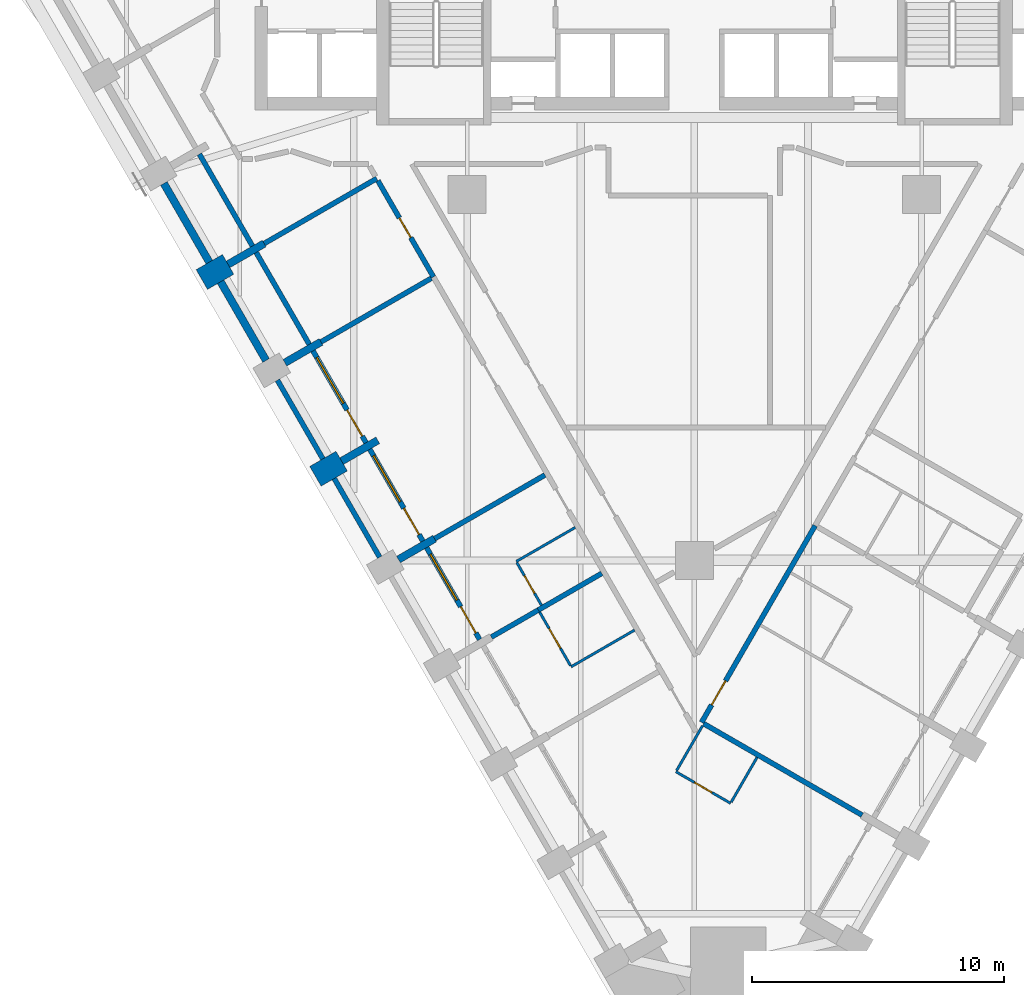
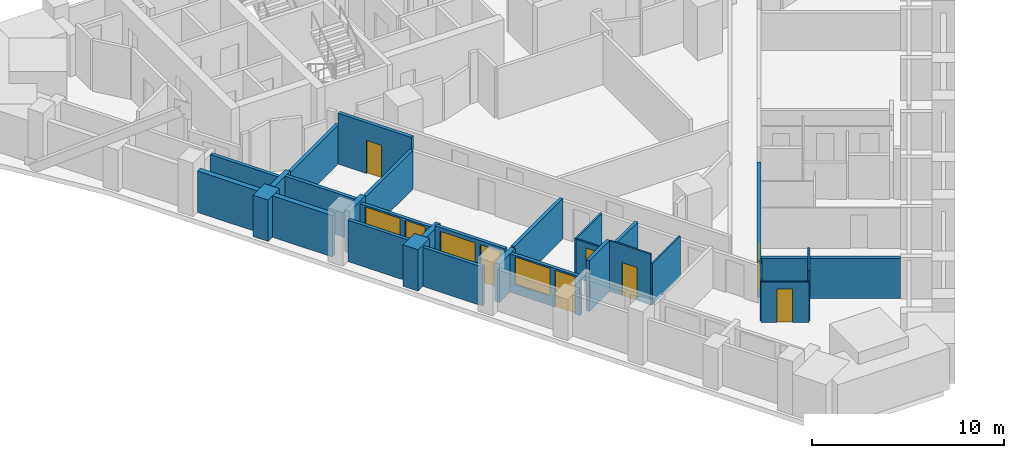
# One storey, part 3 of 10: 30 walls, 8 doors, 3 windows, 11 openings.
"""IFC4 building model written with IfcOpenShell, lengths in metres."""

from ifc_helpers import new_model, si_unit, direction, frame, frame_2d, origin, place, context, subcontext, project, spatial, rectangle, extrude, material, layer, layer_set, type_object, element, fill, save


model = new_model("IFC4")

# Units and contexts
model_context = context("Model", 3, precision=1e-05, world=origin(), true_north=direction((0.0, 1.0)))
body_context = subcontext(model_context, "Body", "Model", "MODEL_VIEW")
ifc_project = project(units=[si_unit("LENGTHUNIT", "METRE"), si_unit("AREAUNIT", "SQUARE_METRE"), si_unit("VOLUMEUNIT", "CUBIC_METRE"), si_unit("PLANEANGLEUNIT", "RADIAN"), si_unit("MASSUNIT", "GRAM", prefix="KILO")], contexts=[model_context])

# Site, building, storey
site_placement = place(None, origin())
site = spatial("IfcSite", under=ifc_project, at=site_placement, CompositionType="ELEMENT")
building_placement = place(site_placement, origin())
building = spatial("IfcBuilding", under=site, at=building_placement, Name="Calabash Gate Tower", CompositionType="ELEMENT")
storey_placement = place(building_placement, frame((0.0, 0.0, 91.800048828125)))
storey = spatial("IfcBuildingStorey", under=building, at=storey_placement, Name="L19", CompositionType="ELEMENT", Elevation=91.800048828125)

# Walls
ifc_material_1 = material(Name="Terracotta brick masonry, exposed face", Category="masonry")
ifc_layer_1 = layer(ifc_material_1, 1.199951171875)
ifc_layer_set_1 = layer_set([ifc_layer_1], Name="Brick end wall 1200")
wall_type_1 = type_object("IfcWallType", Name="Brick end wall 1200", PredefinedType="SOLIDWALL", material=ifc_layer_set_1)
for number, where, z_axis, x_axis, name in (
    (1, (-19.51025390625, -0.8720703125, 0.0), (0.0, 0.0, 1.0), (0.865955154139, 0.50012165622, 0.0), "Brick pier S05 SW0.3"),
    (2, (-13.97119140625, -8.066162109375, 0.0), (0.0, 0.0, 1.0), (-0.865955154139, -0.50012165622, 0.0), "Brick pier S05 SW0.5"),
):
    element("IfcWall", number, at=place(storey_placement, frame(where, z_axis=z_axis, x_axis=x_axis)), inside=storey, type_object=wall_type_1, Name=name, PredefinedType="SOLIDWALL", context=body_context, shape_type="SweptSolid", body=[
        extrude(rectangle(XDim=1.199951171875, YDim=0.89990234375, at=frame_2d((0.60009765625, 0.0))), origin(), (0.0, 0.0, 1.0), 2.6298828125),
    ])
ifc_material_2 = material(Name="Terracotta brick masonry, exposed face", Category="masonry")
ifc_layer_2 = layer(ifc_material_2, 0.300048828125)
ifc_layer_set_2 = layer_set([ifc_layer_2], Name="Brick infill panel wall 300")
wall_type_2 = type_object("IfcWallType", Name="Brick infill panel wall 300", PredefinedType="SOLIDWALL", material=ifc_layer_set_2)
for number, where, z_axis, x_axis, name in (
    (3, (-21.015625, 2.935302734375, 0.0), (0.0, 0.0, 1.0), (0.499961193289, -0.866047807691, 0.0), "Brick panel S05 SW0.3"),
    (4, (-18.765625, -0.961669921875, 0.0), (0.0, 0.0, 1.0), (0.499961193289, -0.866047807691, 0.0), "Brick panel S05 SW0.4"),
):
    element("IfcWall", number, at=place(storey_placement, frame(where, z_axis=z_axis, x_axis=x_axis)), inside=storey, type_object=wall_type_2, Name=name, PredefinedType="SOLIDWALL", context=body_context, shape_type="SweptSolid", body=[
        extrude(rectangle(XDim=3.599853515625, YDim=0.300048828125, at=frame_2d((1.7998046875, 0.0))), origin(), (0.0, 0.0, 1.0), 2.6298828125),
    ])
ifc_material_3 = material(Name="Terracotta brick masonry, exposed face", Category="masonry")
ifc_layer_3 = layer(ifc_material_3, 0.300048828125)
ifc_layer_set_3 = layer_set([ifc_layer_3], Name="Brick loggia cheek wall 300")
wall_type_3 = type_object("IfcWallType", Name="Brick loggia cheek wall 300", PredefinedType="SOLIDWALL", material=ifc_layer_set_3)
wall_1_placement = place(storey_placement, frame((-17.042236328125, 0.552978515625, 0.0), z_axis=(0.0, 0.0, 1.0), x_axis=(-0.866040211805, -0.499974350878, 0.0)))
element("IfcWall", 5, at=wall_1_placement, inside=storey, type_object=wall_type_3, Name="Loggia cheek S05 SW0.3", PredefinedType="SOLIDWALL", context=body_context, shape_type="SweptSolid", body=[
    extrude(rectangle(XDim=1.64990234375, YDim=0.300048828125, at=frame_2d((0.824951171875, 0.0))), origin(), (0.0, 0.0, 1.0), 2.64990234375),
])
wall_2_placement = place(storey_placement, frame((-16.22119140625, -4.169189453125, 0.0), z_axis=(0.0, 0.0, 1.0), x_axis=(0.865976140824, 0.500085316245, 0.0)))
element("IfcWall", 6, at=wall_2_placement, inside=storey, type_object=wall_type_3, Name="Loggia cheek S05 SW0.4", PredefinedType="SOLIDWALL", context=body_context, shape_type="SweptSolid", body=[
    extrude(rectangle(XDim=1.650146484375, YDim=0.300048828125, at=frame_2d((0.8251953125, 0.0))), origin(), (0.0, 0.0, 1.0), 2.64990234375),
])
wall_3_placement = place(storey_placement, frame((-13.97119140625, -8.066162109375, 0.0), z_axis=(0.0, 0.0, 1.0), x_axis=(0.866040211805, 0.499974350878, 0.0)))
element("IfcWall", 7, at=wall_3_placement, inside=storey, type_object=wall_type_3, Name="Loggia cheek S05 SW0.5", PredefinedType="SOLIDWALL", context=body_context, shape_type="SweptSolid", body=[
    extrude(rectangle(XDim=1.64990234375, YDim=0.300048828125, at=frame_2d((0.824951171875, 0.0))), origin(), (0.0, 0.0, 1.0), 2.473388671875),
])
wall_4_placement = place(storey_placement, frame((-11.72119140625, -11.96337890625, 0.0), z_axis=(0.0, 0.0, 1.0), x_axis=(0.866040211805, 0.499974350878, 0.0)))
element("IfcWall", 8, at=wall_4_placement, inside=storey, type_object=wall_type_3, Name="Loggia cheek S05 SW0.6", PredefinedType="SOLIDWALL", context=body_context, shape_type="SweptSolid", body=[
    extrude(rectangle(XDim=1.64990234375, YDim=0.300048828125, at=frame_2d((0.824951171875, 0.0))), origin(), (0.0, 0.0, 1.0), 2.449951171875),
])
ifc_material_4 = material(Name="Gypsum board on steel studs, mineral wool", Category="steel")
ifc_layer_4 = layer(ifc_material_4, 0.10009765625)
ifc_layer_set_4 = layer_set([ifc_layer_4], Name="Partition 100 gypsum board")
wall_type_4 = type_object("IfcWallType", Name="Partition 100 gypsum board", PredefinedType="PARTITIONING", material=ifc_layer_set_4)
wall_5_placement = place(storey_placement, frame((1.46044921875, -21.576416015625, 0.0), z_axis=(0.0, 0.0, 1.0), x_axis=(0.499354689006, 0.866397653833, 0.0)))
element("IfcWall", 9, at=wall_5_placement, inside=storey, type_object=wall_type_4, Name="Partition", PredefinedType="PARTITIONING", context=body_context, shape_type="SweptSolid", body=[
    extrude(rectangle(XDim=2.050048828125, YDim=0.10009765625, at=frame_2d((1.02490234375, 0.0))), origin(), (0.0, 0.0, 1.0), 3.22998046875),
])

# Wall, opening, door
wall_6_placement = place(storey_placement, frame((-0.7294921875, -20.369873046875, 0.0), z_axis=(0.0, 0.0, 1.0), x_axis=(0.866022959057, -0.500004234368, 0.0)))
wall_6 = element("IfcWall", 10, at=wall_6_placement, inside=storey, type_object=wall_type_4, Name="Partition", PredefinedType="PARTITIONING", context=body_context, shape_type="SweptSolid", body=[
    extrude(rectangle(XDim=2.5, YDim=0.10009765625, at=frame_2d((1.25, 0.0))), origin(), (0.0, 0.0, 1.0), 2.5517578125),
])
opening_1_placement = place(wall_6_placement, frame((0.85009765625, 0.0, 0.0)))
opening_1 = element("IfcOpeningElement", 11, at=opening_1_placement, cuts=wall_6, Name="Opening 19-21-015", PredefinedType="OPENING", context=body_context, shape_type="SweptSolid", body=[
    extrude(rectangle(XDim=0.800048828125, YDim=2.10009765625, at=frame_2d((0.39990234375, 1.050048828125))), frame((0.0, 0.06005859375, 0.0), z_axis=(0.0, -1.0, 0.0), x_axis=(1.0, 0.0, 0.0)), (0.0, 0.0, 1.0), 0.1201171875),
])
ifc_material_5 = material(Name="Painted timber door", Category="wood")
door_type_1 = type_object("IfcDoorType", Name="GD5 En-suite door 800x2100", OperationType="NOTDEFINED", PredefinedType="DOOR", material=ifc_material_5)
door_1_placement = place(opening_1_placement, origin())
door_1 = element("IfcDoor", 12, at=door_1_placement, inside=storey, type_object=door_type_1, Name="En-suite door", OperationType="SINGLE_SWING_LEFT", OverallHeight=2.10009765625, OverallWidth=0.800048828125, PredefinedType="DOOR", context=body_context, shape_type="SweptSolid", body=[
    extrude(rectangle(XDim=0.800048828125, YDim=2.10009765625, at=frame_2d((0.39990234375, 1.050048828125))), frame((0.0, 0.02490234375, 0.0), z_axis=(0.0, -1.0, 0.0), x_axis=(1.0, 0.0, 0.0)), (0.0, 0.0, 1.0), 0.050048828125),
])
fill(opening_1, door_1)

# Walls
wall_7_placement = place(storey_placement, frame((-0.70458984375, -20.326416015625, 0.0), z_axis=(0.0, 0.0, 1.0), x_axis=(0.500698204548, 0.865621919756, 0.0)))
element("IfcWall", 13, at=wall_7_placement, inside=storey, type_object=wall_type_4, Name="Partition", PredefinedType="PARTITIONING", context=body_context, shape_type="SweptSolid", body=[
    extrude(rectangle(XDim=2.0498046875, YDim=0.10009765625, at=frame_2d((1.02490234375, 0.0))), origin(), (0.0, 0.0, 1.0), 2.5517578125),
])
wall_8_placement = place(storey_placement, frame((-4.880126953125, -16.212158203125, 0.0), z_axis=(0.0, 0.0, 1.0), x_axis=(0.865729701078, 0.500511822708, 0.0)))
element("IfcWall", 14, at=wall_8_placement, inside=storey, type_object=wall_type_4, Name="Partition", PredefinedType="PARTITIONING", context=body_context, shape_type="SweptSolid", body=[
    extrude(rectangle(XDim=2.89990234375, YDim=0.10009765625, at=frame_2d((1.449951171875, 0.0))), origin(), (0.0, 0.0, 1.0), 2.6279296875),
])

# Wall, opening, door
wall_9_placement = place(storey_placement, frame((-6.128662109375, -14.04638671875, 0.0), z_axis=(0.0, 0.0, 1.0), x_axis=(0.499408942836, -0.866366381974, 0.0)))
wall_9 = element("IfcWall", 15, at=wall_9_placement, inside=storey, type_object=wall_type_4, Name="Partition", PredefinedType="PARTITIONING", context=body_context, shape_type="SweptSolid", body=[
    extrude(rectangle(XDim=2.44970703125, YDim=0.10009765625, at=frame_2d((1.224853515625, 0.0))), origin(), (0.0, 0.0, 1.0), 3.22998046875),
])
opening_2_placement = place(wall_9_placement, frame((0.749755859375, 0.0, 0.0)))
opening_2 = element("IfcOpeningElement", 16, at=opening_2_placement, cuts=wall_9, Name="Opening 19-21-006", PredefinedType="OPENING", context=body_context, shape_type="SweptSolid", body=[
    extrude(rectangle(XDim=0.89990234375, YDim=2.10009765625, at=frame_2d((0.449951171875, 1.050048828125))), frame((0.0, 0.06005859375, 0.0), z_axis=(0.0, -1.0, 0.0), x_axis=(1.0, 0.0, 0.0)), (0.0, 0.0, 1.0), 0.1201171875),
])
ifc_material_6 = material(Name="Painted timber door", Category="wood")
door_type_2 = type_object("IfcDoorType", Name="GD6 Accessible en-suite door 900x2100", OperationType="NOTDEFINED", PredefinedType="DOOR", material=ifc_material_6)
door_2_placement = place(opening_2_placement, origin())
door_2 = element("IfcDoor", 17, at=door_2_placement, inside=storey, type_object=door_type_2, Name="Accessible en-suite door", OperationType="SINGLE_SWING_RIGHT", OverallHeight=2.10009765625, OverallWidth=0.89990234375, PredefinedType="DOOR", context=body_context, shape_type="SweptSolid", body=[
    extrude(rectangle(XDim=0.89990234375, YDim=2.10009765625, at=frame_2d((0.449951171875, 1.050048828125))), frame((0.0, 0.02490234375, 0.0), z_axis=(0.0, -1.0, 0.0), x_axis=(1.0, 0.0, 0.0)), (0.0, 0.0, 1.0), 0.050048828125),
])
fill(opening_2, door_2)

wall_10_placement = place(storey_placement, frame((-7.031982421875, -12.085205078125, 0.0), z_axis=(0.0, 0.0, 1.0), x_axis=(0.500098182527, -0.865968710655, 0.0)))
wall_10 = element("IfcWall", 18, at=wall_10_placement, inside=storey, type_object=wall_type_4, Name="Partition", PredefinedType="PARTITIONING", context=body_context, shape_type="SweptSolid", body=[
    extrude(rectangle(XDim=1.94970703125, YDim=0.10009765625, at=frame_2d((0.974853515625, 0.0))), origin(), (0.0, 0.0, 1.0), 2.449951171875),
])
opening_3_placement = place(wall_10_placement, frame((0.60009765625, 0.0, 0.0)))
opening_3 = element("IfcOpeningElement", 19, at=opening_3_placement, cuts=wall_10, Name="Opening 19-21-004", PredefinedType="OPENING", context=body_context, shape_type="SweptSolid", body=[
    extrude(rectangle(XDim=0.800048828125, YDim=2.10009765625, at=frame_2d((0.39990234375, 1.050048828125))), frame((0.0, 0.06005859375, 0.0), z_axis=(0.0, -1.0, 0.0), x_axis=(1.0, 0.0, 0.0)), (0.0, 0.0, 1.0), 0.1201171875),
])
door_3_placement = place(opening_3_placement, origin())
door_3 = element("IfcDoor", 20, at=door_3_placement, inside=storey, type_object=door_type_1, Name="En-suite door", OperationType="SINGLE_SWING_RIGHT", OverallHeight=2.10009765625, OverallWidth=0.800048828125, PredefinedType="DOOR", context=body_context, shape_type="SweptSolid", body=[
    extrude(rectangle(XDim=0.800048828125, YDim=2.10009765625, at=frame_2d((0.39990234375, 1.050048828125))), frame((0.0, 0.02490234375, 0.0), z_axis=(0.0, -1.0, 0.0), x_axis=(1.0, 0.0, 0.0)), (0.0, 0.0, 1.0), 0.050048828125),
])
fill(opening_3, door_3)

# Walls
wall_11_placement = place(storey_placement, frame((-7.056884765625, -12.041748046875, 0.0), z_axis=(0.0, 0.0, 1.0), x_axis=(0.866339109022, 0.499456252518, 0.0)))
element("IfcWall", 21, at=wall_11_placement, inside=storey, type_object=wall_type_4, Name="Partition", PredefinedType="PARTITIONING", context=body_context, shape_type="SweptSolid", body=[
    extrude(rectangle(XDim=2.69970703125, YDim=0.10009765625, at=frame_2d((1.349853515625, 0.0))), origin(), (0.0, 0.0, 1.0), 2.449951171875),
])
ifc_material_7 = material(Name="Gypsum board on steel studs, mineral wool", Category="steel")
ifc_layer_5 = layer(ifc_material_7, 0.199951171875)
ifc_layer_set_5 = layer_set([ifc_layer_5], Name="Partition 200 gypsum board EI 60")
wall_type_5 = type_object("IfcWallType", Name="Partition 200 gypsum board EI 60", PredefinedType="PARTITIONING", material=ifc_layer_set_5)
wall_12_placement = place(storey_placement, frame((0.36962890625, -18.4658203125, 0.0), z_axis=(0.0, 0.0, 1.0), x_axis=(0.866027438349, -0.499996476014, 0.0)))
element("IfcWall", 22, at=wall_12_placement, inside=storey, type_object=wall_type_5, Name="Partition", PredefinedType="PARTITIONING", context=body_context, shape_type="SweptSolid", body=[
    extrude(rectangle(XDim=7.24951171875, YDim=0.199951171875, at=frame_2d((3.624755859375, 0.0))), origin(), (0.0, 0.0, 1.0), 2.5517578125),
])
wall_13_placement = place(storey_placement, frame((-8.0419921875, -15.03564453125, 0.0), z_axis=(0.0, 0.0, 1.0), x_axis=(0.866448284977, 0.499266831925, 0.0)))
element("IfcWall", 23, at=wall_13_placement, inside=storey, type_object=wall_type_5, Name="Partition", PredefinedType="PARTITIONING", context=body_context, shape_type="SweptSolid", body=[
    extrude(rectangle(XDim=2.149658203125, YDim=0.199951171875, at=frame_2d((1.07470703125, 0.0))), origin(), (0.0, 0.0, 1.0), 3.22998046875),
])
wall_14_placement = place(storey_placement, frame((-6.17919921875, -13.962158203125, 0.0), z_axis=(0.0, 0.0, 1.0), x_axis=(0.866011727401, 0.500023687443, 0.0)))
element("IfcWall", 24, at=wall_14_placement, inside=storey, type_object=wall_type_5, Name="Partition", PredefinedType="PARTITIONING", context=body_context, shape_type="SweptSolid", body=[
    extrude(rectangle(XDim=2.899658203125, YDim=0.199951171875, at=frame_2d((1.44970703125, 0.0))), origin(), (0.0, 0.0, 1.0), 2.6279296875),
])

# Wall, opening, door
wall_15_placement = place(storey_placement, frame((0.285400390625, -18.414794921875, 0.0), z_axis=(0.0, 0.0, 1.0), x_axis=(0.5000018851, 0.866024315419, 0.0)))
wall_15 = element("IfcWall", 25, at=wall_15_placement, inside=storey, type_object=wall_type_5, Name="Partition", PredefinedType="PARTITIONING", context=body_context, shape_type="SweptSolid", body=[
    extrude(rectangle(XDim=9.0, YDim=0.199951171875, at=frame_2d((4.5, 0.0))), origin(), (0.0, 0.0, 1.0), 2.302490234375),
])
opening_4_placement = place(wall_15_placement, frame((0.800048828125, 0.0, 0.0)))
opening_4 = element("IfcOpeningElement", 26, at=opening_4_placement, cuts=wall_15, Name="Opening 19-21-007", PredefinedType="OPENING", context=body_context, shape_type="SweptSolid", body=[
    extrude(rectangle(XDim=1.10009765625, YDim=2.10009765625, at=frame_2d((0.550048828125, 1.050048828125))), frame((0.0, 0.10986328125, 0.0), z_axis=(0.0, -1.0, 0.0), x_axis=(1.0, 0.0, 0.0)), (0.0, 0.0, 1.0), 0.219970703125),
])
ifc_material_8 = material(Name="Steel fire door set with fire-resisting glazing", Category="steel")
door_type_3 = type_object("IfcDoorType", Name="GD3 Suite entrance door 1100x2100", OperationType="NOTDEFINED", PredefinedType="DOOR", material=ifc_material_8)
door_4_placement = place(opening_4_placement, origin())
door_4 = element("IfcDoor", 27, at=door_4_placement, inside=storey, type_object=door_type_3, Name="Suite entrance door", OperationType="SINGLE_SWING_RIGHT", OverallHeight=2.10009765625, OverallWidth=1.10009765625, PredefinedType="DOOR", context=body_context, shape_type="SweptSolid", body=[
    extrude(rectangle(XDim=1.10009765625, YDim=2.10009765625, at=frame_2d((0.550048828125, 1.050048828125))), frame((0.0, 0.02490234375, 0.0), z_axis=(0.0, -1.0, 0.0), x_axis=(1.0, 0.0, 0.0)), (0.0, 0.0, 1.0), 0.050048828125),
])
fill(opening_4, door_4)

# Walls
wall_16_placement = place(storey_placement, frame((-10.2919921875, -11.138427734375, 0.0), z_axis=(0.0, 0.0, 1.0), x_axis=(0.866188805601, 0.49971687289, 0.0)))
element("IfcWall", 28, at=wall_16_placement, inside=storey, type_object=wall_type_5, Name="Partition", PredefinedType="PARTITIONING", context=body_context, shape_type="SweptSolid", body=[
    extrude(rectangle(XDim=5.0498046875, YDim=0.199951171875, at=frame_2d((2.52490234375, 0.0))), origin(), (0.0, 0.0, 1.0), 2.5517578125),
])
wall_17_placement = place(storey_placement, frame((-14.7919921875, -3.34423828125, 0.0), z_axis=(0.0, 0.0, 1.0), x_axis=(0.866188805601, 0.49971687289, 0.0)))
element("IfcWall", 29, at=wall_17_placement, inside=storey, type_object=wall_type_5, Name="Partition", PredefinedType="PARTITIONING", context=body_context, shape_type="SweptSolid", body=[
    extrude(rectangle(XDim=5.0498046875, YDim=0.199951171875, at=frame_2d((2.52490234375, 0.0))), origin(), (0.0, 0.0, 1.0), 2.473388671875),
])

# Wall, opening, door
wall_18_placement = place(storey_placement, frame((-12.533935546875, 3.040283203125, 0.0), z_axis=(0.0, 0.0, 1.0), x_axis=(0.50001224981, -0.866018331238, 0.0)))
wall_18 = element("IfcWall", 30, at=wall_18_placement, inside=storey, type_object=wall_type_5, Name="Partition", PredefinedType="PARTITIONING", context=body_context, shape_type="SweptSolid", body=[
    extrude(rectangle(XDim=4.39990234375, YDim=0.199951171875, at=frame_2d((2.199951171875, 0.0))), origin(), (0.0, 0.0, 1.0), 3.22998046875),
])
opening_5_placement = place(wall_18_placement, frame((1.699951171875, 0.0, 0.0)))
opening_5 = element("IfcOpeningElement", 31, at=opening_5_placement, cuts=wall_18, Name="Opening 19-21-001", PredefinedType="OPENING", context=body_context, shape_type="SweptSolid", body=[
    extrude(rectangle(XDim=0.89990234375, YDim=2.10009765625, at=frame_2d((0.449951171875, 1.050048828125))), frame((0.0, 0.10986328125, 0.0), z_axis=(0.0, -1.0, 0.0), x_axis=(1.0, 0.0, 0.0)), (0.0, 0.0, 1.0), 0.219970703125),
])
ifc_material_9 = material(Name="Steel fire door set with fire-resisting glazing", Category="steel")
door_type_4 = type_object("IfcDoorType", Name="SD1 Service room door 900x2100", OperationType="NOTDEFINED", PredefinedType="DOOR", material=ifc_material_9)
door_5_placement = place(opening_5_placement, origin())
door_5 = element("IfcDoor", 32, at=door_5_placement, inside=storey, type_object=door_type_4, Name="Service room door", OperationType="SINGLE_SWING_RIGHT", OverallHeight=2.10009765625, OverallWidth=0.89990234375, PredefinedType="DOOR", context=body_context, shape_type="SweptSolid", body=[
    extrude(rectangle(XDim=0.89990234375, YDim=2.10009765625, at=frame_2d((0.449951171875, 1.050048828125))), frame((0.0, 0.02490234375, 0.0), z_axis=(0.0, -1.0, 0.0), x_axis=(1.0, 0.0, 0.0)), (0.0, 0.0, 1.0), 0.050048828125),
])
fill(opening_5, door_5)

# Walls
wall_19_placement = place(storey_placement, frame((-17.04248046875, 0.553466796875, 0.0), z_axis=(0.0, 0.0, 1.0), x_axis=(0.865896561189, 0.500223095549, 0.0)))
element("IfcWall", 33, at=wall_19_placement, inside=storey, type_object=wall_type_5, Name="Partition", PredefinedType="PARTITIONING", context=body_context, shape_type="SweptSolid", body=[
    extrude(rectangle(XDim=5.149658203125, YDim=0.199951171875, at=frame_2d((2.57470703125, 0.0))), origin(), (0.0, 0.0, 1.0), 2.473388671875),
])
ifc_material_10 = material(Name="Terracotta brick masonry, perforated", Category="masonry")
ifc_layer_6 = layer(ifc_material_10, 0.199951171875)
ifc_layer_set_6 = layer_set([ifc_layer_6], Name="Terracotta jaali screen A")
wall_type_6 = type_object("IfcWallType", Name="Terracotta jaali screen A", PredefinedType="SOLIDWALL", material=ifc_layer_set_6)
wall_20_placement = place(storey_placement, frame((-16.515625, -4.85888671875, 0.0), z_axis=(0.0, 0.0, 1.0), x_axis=(0.499961193289, -0.866047807691, 0.0)))
element("IfcWall", 34, at=wall_20_placement, inside=storey, type_object=wall_type_6, Name="SCREEN A S05 SW0.5", PredefinedType="SOLIDWALL", context=body_context, shape_type="SweptSolid", body=[
    extrude(rectangle(XDim=3.599853515625, YDim=0.199951171875, at=frame_2d((1.7998046875, 0.0))), origin(), (0.0, 0.0, 1.0), 2.6298828125),
])
wall_21_placement = place(storey_placement, frame((-14.265625, -8.755859375, 0.0), z_axis=(0.0, 0.0, 1.0), x_axis=(0.499961193289, -0.866047807691, 0.0)))
element("IfcWall", 35, at=wall_21_placement, inside=storey, type_object=wall_type_6, Name="SCREEN A S05 SW0.6", PredefinedType="SOLIDWALL", context=body_context, shape_type="SweptSolid", body=[
    extrude(rectangle(XDim=3.599853515625, YDim=0.199951171875, at=frame_2d((1.7998046875, 0.0))), origin(), (0.0, 0.0, 1.0), 2.473388671875),
])
ifc_material_11 = material(Name="Aluminium framed window wall with insulated spandrel", Category="aluminium")
ifc_layer_7 = layer(ifc_material_11, 0.199951171875)
ifc_layer_set_7 = layer_set([ifc_layer_7], Name="Window wall 200")
wall_type_7 = type_object("IfcWallType", Name="Window wall 200", PredefinedType="ELEMENTEDWALL", material=ifc_layer_set_7)
wall_22_placement = place(storey_placement, frame((-19.60693359375, 4.09521484375, 0.0), z_axis=(0.0, 0.0, 1.0), x_axis=(0.500027713859, -0.866009402589, 0.0)))
element("IfcWall", 36, at=wall_22_placement, inside=storey, type_object=wall_type_7, Name="Window wall S05 SW0.3", PredefinedType="ELEMENTEDWALL", context=body_context, shape_type="SweptSolid", body=[
    extrude(rectangle(XDim=4.199951171875, YDim=0.199951171875, at=frame_2d((2.10009765625, 0.0))), origin(), (0.0, 0.0, 1.0), 2.449951171875),
])
wall_23_placement = place(storey_placement, frame((-17.35693359375, 0.197998046875, 0.0), z_axis=(0.0, 0.0, 1.0), x_axis=(0.500027713859, -0.866009402589, 0.0)))
element("IfcWall", 37, at=wall_23_placement, inside=storey, type_object=wall_type_7, Name="Window wall S05 SW0.4", PredefinedType="ELEMENTEDWALL", context=body_context, shape_type="SweptSolid", body=[
    extrude(rectangle(XDim=4.199951171875, YDim=0.199951171875, at=frame_2d((2.10009765625, 0.0))), origin(), (0.0, 0.0, 1.0), 2.64990234375),
])

# Wall, openings, door, window
wall_24_placement = place(storey_placement, frame((-15.10693359375, -3.698974609375, 0.0), z_axis=(0.0, 0.0, 1.0), x_axis=(0.500002543286, -0.866023935413, 0.0)))
wall_24 = element("IfcWall", 38, at=wall_24_placement, inside=storey, type_object=wall_type_7, Name="Window wall S05 SW0.5", PredefinedType="ELEMENTEDWALL", context=body_context, shape_type="SweptSolid", body=[
    extrude(rectangle(XDim=4.2001953125, YDim=0.199951171875, at=frame_2d((2.10009765625, 0.0))), origin(), (0.0, 0.0, 1.0), 2.473388671875),
])
opening_6_placement = place(wall_24_placement, frame((0.300048828125, 0.0, 0.60009765625)))
opening_6 = element("IfcOpeningElement", 39, at=opening_6_placement, cuts=wall_24, Name="Opening HW1L-1770", PredefinedType="OPENING", context=body_context, shape_type="SweptSolid", body=[
    extrude(rectangle(XDim=2.10009765625, YDim=1.77001953125, at=frame_2d((1.050048828125, 0.885009765625))), frame((0.0, 0.10986328125, 0.0), z_axis=(0.0, -1.0, 0.0), x_axis=(1.0, 0.0, 0.0)), (0.0, 0.0, 1.0), 0.219970703125),
])
opening_7_placement = place(wall_24_placement, frame((2.699951171875, 0.0, 0.0)))
opening_7 = element("IfcOpeningElement", 40, at=opening_7_placement, cuts=wall_24, Name="Opening H5-023", PredefinedType="OPENING", context=body_context, shape_type="SweptSolid", body=[
    extrude(rectangle(XDim=1.199951171875, YDim=2.3701171875, at=frame_2d((0.60009765625, 1.18505859375))), frame((0.0, 0.10986328125, 0.0), z_axis=(0.0, -1.0, 0.0), x_axis=(1.0, 0.0, 0.0)), (0.0, 0.0, 1.0), 0.219970703125),
])
ifc_material_12 = material(Name="Anodised aluminium frame, bronze finish, impact-rated laminated clear glazing", Category="aluminium")
door_type_5 = type_object("IfcDoorType", Name="Loggia door DH1L-2370 1200x2370", OperationType="SLIDING_TO_LEFT", PredefinedType="DOOR", material=ifc_material_12)
door_6_placement = place(opening_7_placement, origin())
door_6 = element("IfcDoor", 41, at=door_6_placement, inside=storey, type_object=door_type_5, Name="Loggia door S05 SW0.5", OperationType="SINGLE_SWING_LEFT", OverallHeight=2.3701171875, OverallWidth=1.199951171875, PredefinedType="DOOR", context=body_context, shape_type="SweptSolid", body=[
    extrude(rectangle(XDim=1.199951171875, YDim=2.3701171875, at=frame_2d((0.60009765625, 1.18505859375))), frame((0.0, 0.02490234375, 0.0), z_axis=(0.0, -1.0, 0.0), x_axis=(1.0, 0.0, 0.0)), (0.0, 0.0, 1.0), 0.050048828125),
])
fill(opening_7, door_6)
ifc_material_13 = material(Name="Anodised aluminium frame, bronze finish, impact-rated laminated clear glazing", Category="aluminium")
window_type_1 = type_object("IfcWindowType", Name="Window HW1L 2100x1770", PartitioningType="DOUBLE_PANEL_VERTICAL", PredefinedType="WINDOW", material=ifc_material_13)
window_1_placement = place(opening_6_placement, origin())
window_1 = element("IfcWindow", 42, at=window_1_placement, inside=storey, type_object=window_type_1, Name="Window HW1 S05 SW0.5", OverallHeight=1.77001953125, OverallWidth=2.10009765625, PartitioningType="SINGLE_PANEL", PredefinedType="WINDOW", context=body_context, shape_type="SweptSolid", body=[
    extrude(rectangle(XDim=2.10009765625, YDim=1.77001953125, at=frame_2d((1.050048828125, 0.885009765625))), frame((0.0, 0.030029296875, 0.0), z_axis=(0.0, -1.0, 0.0), x_axis=(1.0, 0.0, 0.0)), (0.0, 0.0, 1.0), 0.06005859375),
])
fill(opening_6, window_1)

wall_25_placement = place(storey_placement, frame((-12.85693359375, -7.59619140625, 0.0), z_axis=(0.0, 0.0, 1.0), x_axis=(0.500027713859, -0.866009402589, 0.0)))
wall_25 = element("IfcWall", 43, at=wall_25_placement, inside=storey, type_object=wall_type_7, Name="Window wall S05 SW0.6", PredefinedType="ELEMENTEDWALL", context=body_context, shape_type="SweptSolid", body=[
    extrude(rectangle(XDim=4.199951171875, YDim=0.199951171875, at=frame_2d((2.10009765625, 0.0))), origin(), (0.0, 0.0, 1.0), 2.64990234375),
])
opening_8_placement = place(wall_25_placement, frame((0.300048828125, 0.0, 0.60009765625)))
opening_8 = element("IfcOpeningElement", 44, at=opening_8_placement, cuts=wall_25, Name="Opening HW1", PredefinedType="OPENING", context=body_context, shape_type="SweptSolid", body=[
    extrude(rectangle(XDim=2.10009765625, YDim=1.800048828125, at=frame_2d((1.050048828125, 0.89990234375))), frame((0.0, 0.10986328125, 0.0), z_axis=(0.0, -1.0, 0.0), x_axis=(1.0, 0.0, 0.0)), (0.0, 0.0, 1.0), 0.219970703125),
])
opening_9_placement = place(wall_25_placement, frame((2.699951171875, 0.0, 0.0)))
opening_9 = element("IfcOpeningElement", 45, at=opening_9_placement, cuts=wall_25, Name="Opening H5-024", PredefinedType="OPENING", context=body_context, shape_type="SweptSolid", body=[
    extrude(rectangle(XDim=1.199951171875, YDim=2.39990234375, at=frame_2d((0.60009765625, 1.199951171875))), frame((0.0, 0.10986328125, 0.0), z_axis=(0.0, -1.0, 0.0), x_axis=(1.0, 0.0, 0.0)), (0.0, 0.0, 1.0), 0.219970703125),
])
ifc_material_14 = material(Name="Anodised aluminium frame, bronze finish, impact-rated laminated clear glazing", Category="aluminium")
door_type_6 = type_object("IfcDoorType", Name="Loggia door DH1 1200x2400", OperationType="SLIDING_TO_LEFT", PredefinedType="DOOR", material=ifc_material_14)
door_7_placement = place(opening_9_placement, origin())
door_7 = element("IfcDoor", 46, at=door_7_placement, inside=storey, type_object=door_type_6, Name="Loggia door S05 SW0.6", OperationType="SINGLE_SWING_LEFT", OverallHeight=2.39990234375, OverallWidth=1.199951171875, PredefinedType="DOOR", context=body_context, shape_type="SweptSolid", body=[
    extrude(rectangle(XDim=1.199951171875, YDim=2.39990234375, at=frame_2d((0.60009765625, 1.199951171875))), frame((0.0, 0.02490234375, 0.0), z_axis=(0.0, -1.0, 0.0), x_axis=(1.0, 0.0, 0.0)), (0.0, 0.0, 1.0), 0.050048828125),
])
fill(opening_9, door_7)
ifc_material_15 = material(Name="Anodised aluminium frame, bronze finish, impact-rated laminated clear glazing", Category="aluminium")
window_type_2 = type_object("IfcWindowType", Name="Window HW1 2100x1800", PartitioningType="DOUBLE_PANEL_VERTICAL", PredefinedType="WINDOW", material=ifc_material_15)
window_2_placement = place(opening_8_placement, origin())
window_2 = element("IfcWindow", 47, at=window_2_placement, inside=storey, type_object=window_type_2, Name="Window HW1 S05 SW0.6", OverallHeight=1.800048828125, OverallWidth=2.10009765625, PartitioningType="SINGLE_PANEL", PredefinedType="WINDOW", context=body_context, shape_type="SweptSolid", body=[
    extrude(rectangle(XDim=2.10009765625, YDim=1.800048828125, at=frame_2d((1.050048828125, 0.89990234375))), frame((0.0, 0.030029296875, 0.0), z_axis=(0.0, -1.0, 0.0), x_axis=(1.0, 0.0, 0.0)), (0.0, 0.0, 1.0), 0.06005859375),
])
fill(opening_8, window_2)

wall_26_placement = place(storey_placement, frame((-10.60693359375, -11.4931640625, 0.0), z_axis=(0.0, 0.0, 1.0), x_axis=(0.500002543286, -0.866023935413, 0.0)))
wall_26 = element("IfcWall", 48, at=wall_26_placement, inside=storey, type_object=wall_type_7, Name="Window wall S05 SW0.7", PredefinedType="ELEMENTEDWALL", context=body_context, shape_type="SweptSolid", body=[
    extrude(rectangle(XDim=4.2001953125, YDim=0.199951171875, at=frame_2d((2.10009765625, 0.0))), origin(), (0.0, 0.0, 1.0), 2.449951171875),
])
opening_10_placement = place(wall_26_placement, frame((0.300048828125, 0.0, 0.60009765625)))
opening_10 = element("IfcOpeningElement", 49, at=opening_10_placement, cuts=wall_26, Name="Opening HW1L-1750", PredefinedType="OPENING", context=body_context, shape_type="SweptSolid", body=[
    extrude(rectangle(XDim=2.10009765625, YDim=1.75, at=frame_2d((1.050048828125, 0.875))), frame((0.0, 0.10986328125, 0.0), z_axis=(0.0, -1.0, 0.0), x_axis=(1.0, 0.0, 0.0)), (0.0, 0.0, 1.0), 0.219970703125),
])
opening_11_placement = place(wall_26_placement, frame((2.699951171875, 0.0, 0.0)))
opening_11 = element("IfcOpeningElement", 50, at=opening_11_placement, cuts=wall_26, Name="Opening H5-025", PredefinedType="OPENING", context=body_context, shape_type="SweptSolid", body=[
    extrude(rectangle(XDim=1.199951171875, YDim=2.35009765625, at=frame_2d((0.60009765625, 1.175048828125))), frame((0.0, 0.10986328125, 0.0), z_axis=(0.0, -1.0, 0.0), x_axis=(1.0, 0.0, 0.0)), (0.0, 0.0, 1.0), 0.219970703125),
])
ifc_material_16 = material(Name="Anodised aluminium frame, bronze finish, impact-rated laminated clear glazing", Category="aluminium")
door_type_7 = type_object("IfcDoorType", Name="Loggia door DH1L-2350 1200x2350", OperationType="SLIDING_TO_LEFT", PredefinedType="DOOR", material=ifc_material_16)
door_8_placement = place(opening_11_placement, origin())
door_8 = element("IfcDoor", 51, at=door_8_placement, inside=storey, type_object=door_type_7, Name="Loggia door S05 SW0.7", OperationType="SINGLE_SWING_LEFT", OverallHeight=2.35009765625, OverallWidth=1.199951171875, PredefinedType="DOOR", context=body_context, shape_type="SweptSolid", body=[
    extrude(rectangle(XDim=1.199951171875, YDim=2.35009765625, at=frame_2d((0.60009765625, 1.175048828125))), frame((0.0, 0.02490234375, 0.0), z_axis=(0.0, -1.0, 0.0), x_axis=(1.0, 0.0, 0.0)), (0.0, 0.0, 1.0), 0.050048828125),
])
fill(opening_11, door_8)
ifc_material_17 = material(Name="Anodised aluminium frame, bronze finish, impact-rated laminated clear glazing", Category="aluminium")
window_type_3 = type_object("IfcWindowType", Name="Window HW1L 2100x1750", PartitioningType="DOUBLE_PANEL_VERTICAL", PredefinedType="WINDOW", material=ifc_material_17)
window_3_placement = place(opening_10_placement, origin())
window_3 = element("IfcWindow", 52, at=window_3_placement, inside=storey, type_object=window_type_3, Name="Window HW1 S05 SW0.7", OverallHeight=1.75, OverallWidth=2.10009765625, PartitioningType="SINGLE_PANEL", PredefinedType="WINDOW", context=body_context, shape_type="SweptSolid", body=[
    extrude(rectangle(XDim=2.10009765625, YDim=1.75, at=frame_2d((1.050048828125, 0.875))), frame((0.0, 0.030029296875, 0.0), z_axis=(0.0, -1.0, 0.0), x_axis=(1.0, 0.0, 0.0)), (0.0, 0.0, 1.0), 0.06005859375),
])
fill(opening_10, window_3)

save(model, "model.ifc")
